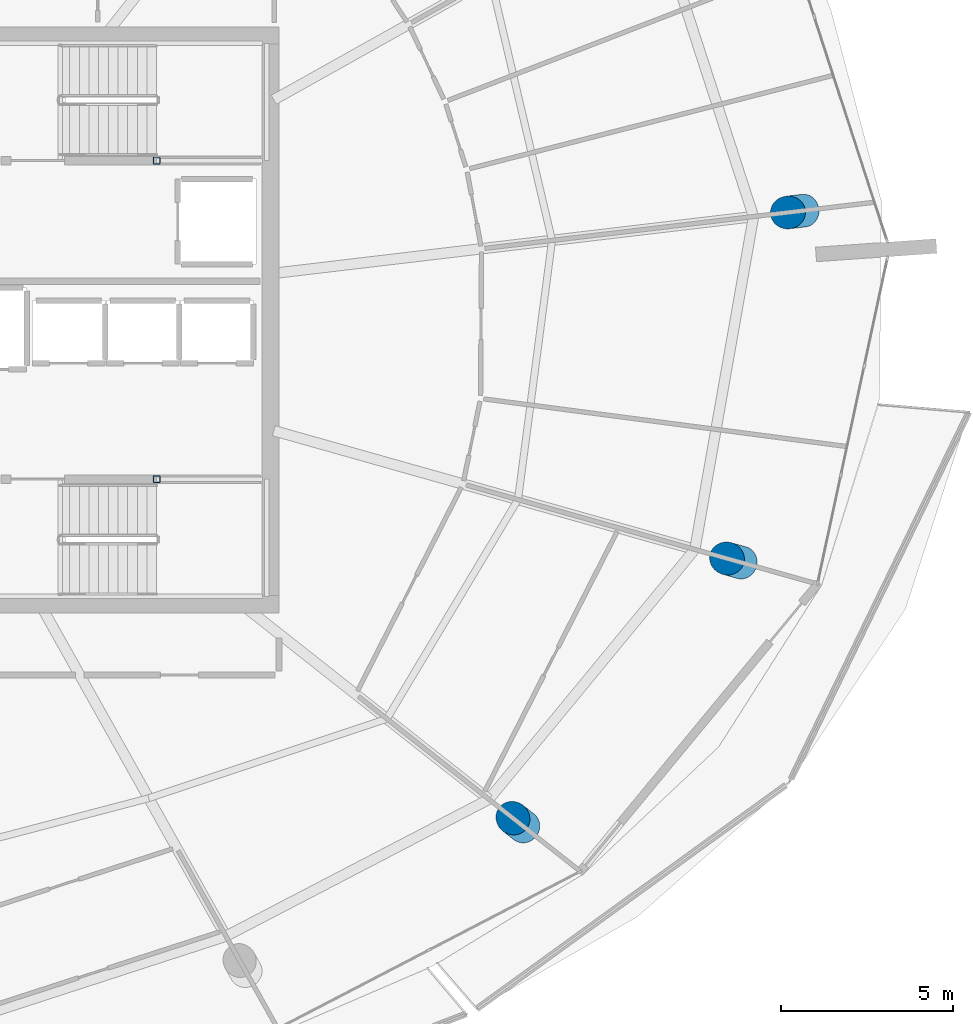
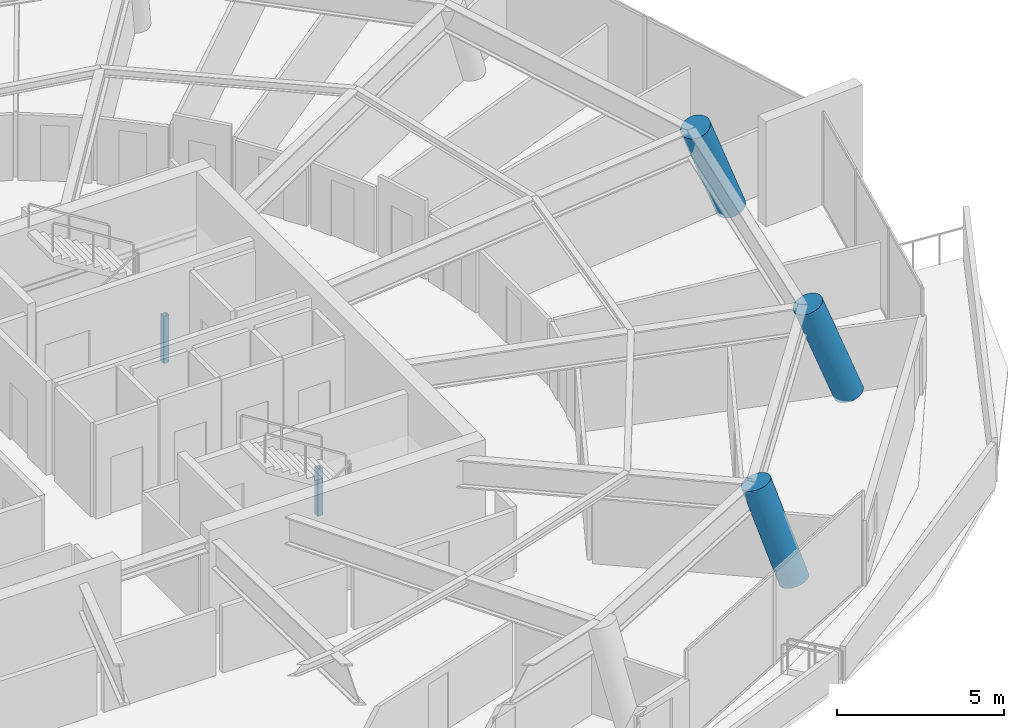
# One storey, part 3 of 27: 5 columns.
"""IFC4 building model written with IfcOpenShell, lengths in metres."""

import ifcopenshell
import ifcopenshell.guid

model = None  # the IFC model being written
_history = None  # IfcOwnerHistory: only IFC2X3 demands one
_inside = {}  # id of a spatial element -> (the spatial element, [elements in it])
_under = {}  # id of a project, library or spatial element -> (it, [spatial elements below it])
_declared = {}  # id of a project -> (the project, [libraries it declares])
_typed = {}  # id of a type object -> (the type object, [elements of that type])
_made_of = {}  # id of a material, layer set ... -> (it, [elements and type objects made of it])


def new_model(schema):
    """Start an empty IFC model of exactly this schema.

    Asked for "IFC4X3", IfcOpenShell would pick the latest addendum, in which some entities
    have other attributes; the version numbers below select the first issue.
    IFC2X3 requires an IfcOwnerHistory on every rooted entity: one is made here for all.
    """
    global model, _history
    if schema == "IFC4X3":
        model = ifcopenshell.file(schema_version=(4, 3, 0, 0))
    else:
        model = ifcopenshell.file(schema=schema)
    _inside.clear()
    _under.clear()
    _declared.clear()
    _typed.clear()
    _made_of.clear()
    _history = None
    if model.schema == "IFC2X3":
        org = make("IfcOrganization", Name="unknown")
        user = make(
            "IfcPersonAndOrganization",
            ThePerson=make("IfcPerson", FamilyName="unknown"),
            TheOrganization=org,
        )
        app = make(
            "IfcApplication",
            ApplicationDeveloper=org,
            Version="unknown",
            ApplicationFullName="unknown",
            ApplicationIdentifier="unknown",
        )
        _history = make(
            "IfcOwnerHistory",
            OwningUser=user,
            OwningApplication=app,
            ChangeAction="ADDED",
            CreationDate=0,
        )
    return model


def make(cls, **values):
    """One entity of the class cls with the attributes given. An attribute that is None is left unset."""
    return model.create_entity(
        cls, **{name: value for name, value in values.items() if value is not None}
    )


def rooted(cls, **values):
    """An entity with a GlobalId (a new one), such as an element, a storey or a relation."""
    return make(cls, GlobalId=ifcopenshell.guid.new(), OwnerHistory=_history, **values)


def si_unit(unit_type, name, prefix=None):
    """IfcSIUnit, for example si_unit("LENGTHUNIT", "METRE", prefix="MILLI")."""
    return make("IfcSIUnit", UnitType=unit_type, Prefix=prefix, Name=name)


def assignment(units):
    """IfcUnitAssignment: the units of a project."""
    return None if units is None else make("IfcUnitAssignment", Units=units)


def point(xyz):
    """IfcCartesianPoint."""
    return None if xyz is None else make("IfcCartesianPoint", Coordinates=xyz)


def direction(xyz):
    """IfcDirection."""
    return None if xyz is None else make("IfcDirection", DirectionRatios=xyz)


def frame(location, z_axis=None, x_axis=None):
    """IfcAxis2Placement3D, a coordinate frame: its origin and axes. An axis left out is left unset."""
    return make(
        "IfcAxis2Placement3D",
        Location=point(location),
        Axis=direction(z_axis),
        RefDirection=direction(x_axis),
    )


def frame_2d(location, x_axis=None):
    """IfcAxis2Placement2D, a coordinate frame in the plane: its origin and x axis."""
    return make(
        "IfcAxis2Placement2D", Location=point(location), RefDirection=direction(x_axis)
    )


def origin():
    """The frame at (0, 0, 0) with its axes left unset."""
    return frame((0.0, 0.0, 0.0))


def origin_2d():
    """The frame at (0, 0) in the plane with its x axis left unset."""
    return frame_2d((0.0, 0.0))


def place(relative_to, where):
    """IfcLocalPlacement: puts the frame where relative to a parent placement (None: the world)."""
    return make(
        "IfcLocalPlacement", PlacementRelTo=relative_to, RelativePlacement=where
    )


def context(
    kind, dimensions, precision=None, world=None, true_north=None, identifier=None
):
    """IfcGeometricRepresentationContext, for example the 3D "Model" context."""
    return make(
        "IfcGeometricRepresentationContext",
        ContextIdentifier=identifier,
        ContextType=kind,
        CoordinateSpaceDimension=dimensions,
        Precision=precision,
        WorldCoordinateSystem=world,
        TrueNorth=true_north,
    )


def subcontext(parent, identifier, kind, view, scale=None):
    """IfcGeometricRepresentationSubContext, for example "Body" below "Model"."""
    return make(
        "IfcGeometricRepresentationSubContext",
        ContextIdentifier=identifier,
        ContextType=kind,
        ParentContext=parent,
        TargetScale=scale,
        TargetView=view,
    )


def project(units=None, contexts=None):
    """IfcProject with its units and contexts."""
    return rooted(
        "IfcProject",
        Name="project",
        RepresentationContexts=contexts,
        UnitsInContext=assignment(units),
    )


def spatial(cls, under=None, at=None, **own):
    """A site, building, storey or space (cls), placed at a placement, below another one or the project."""
    s = rooted(cls, ObjectPlacement=at, **own)
    if under is not None:
        _under.setdefault(under.id(), (under, []))[1].append(s)
    return s


def profile(cls, at=None, kind="AREA", **sizes):
    """A parametric profile (cls). Its sizes go by their IFC names, for example OverallWidth=200.0."""
    return make(cls, ProfileType=kind, Position=at, **sizes)


def hollow_rectangle(**sizes):
    """IfcRectangleHollowProfileDef."""
    return profile("IfcRectangleHollowProfileDef", **sizes)


def circle(**sizes):
    """IfcCircleProfileDef."""
    return profile("IfcCircleProfileDef", **sizes)


def extrude(swept, where, along, depth):
    """IfcExtrudedAreaSolid: the profile swept, set in the frame where, extruded along a direction by depth."""
    return make(
        "IfcExtrudedAreaSolid",
        SweptArea=swept,
        Position=where,
        ExtrudedDirection=direction(along),
        Depth=depth,
    )


def shape(context_of_items, identifier, shape_type, items):
    """IfcShapeRepresentation: the items that make up one representation, for example the "Body"."""
    return make(
        "IfcShapeRepresentation",
        ContextOfItems=context_of_items,
        RepresentationIdentifier=identifier,
        RepresentationType=shape_type,
        Items=items,
    )


def material(Name=None, Category=None):
    """IfcMaterial."""
    return make("IfcMaterial", Name=Name, Category=Category)


def material_profile(
    of_material, cross_section, Name=None, Category=None, Priority=None
):
    """IfcMaterialProfile: a cross section and its material."""
    return make(
        "IfcMaterialProfile",
        Name=Name,
        Material=of_material,
        Profile=cross_section,
        Priority=Priority,
        Category=Category,
    )


def profile_set(profiles, Name=None, composite=None):
    """IfcMaterialProfileSet."""
    return make(
        "IfcMaterialProfileSet",
        Name=Name,
        MaterialProfiles=profiles,
        CompositeProfile=composite,
    )


def made_of(thing, what):
    """Note that an element or type object is made of a material, layer set ...; save() writes the relation."""
    if what is not None:
        _made_of.setdefault(what.id(), (what, []))[1].append(thing)
    return thing


def type_object(cls, material=None, **own):
    """A type object (cls), such as IfcWallType, which elements share."""
    return made_of(rooted(cls, **own), material)


def element(
    cls,
    number,
    at=None,
    inside=None,
    cuts=None,
    type_object=None,
    material=None,
    context=None,
    identifier="Body",
    shape_type=None,
    held_by="IfcProductDefinitionShape",
    body=None,
    shapes=None,
    **own,
):
    """One element of the class cls, such as IfcWall. Its Tag is "e" and its number.

    at: its placement. inside: the storey or other place that contains it. cuts: it is an
    opening in that element (IfcRelVoidsElement). A single representation is given by context,
    identifier, shape_type and body (its items); several are given by shapes. held_by: the class
    of the entity that holds the representations. save() writes the other relations.
    """
    e = rooted(cls, Tag="e%d" % number, ObjectPlacement=at, **own)
    if body is not None:
        shapes = [shape(context, identifier, shape_type, body)]
    if shapes is not None:
        e.Representation = make(held_by, Representations=shapes)
    if inside is not None:
        _inside.setdefault(inside.id(), (inside, []))[1].append(e)
    if cuts is not None:
        rooted(
            "IfcRelVoidsElement", RelatingBuildingElement=cuts, RelatedOpeningElement=e
        )
    if type_object is not None:
        _typed.setdefault(type_object.id(), (type_object, []))[1].append(e)
    return made_of(e, material)


def aggregate(whole, parts):
    """IfcRelAggregates: a whole, such as a stair, and the parts it consists of."""
    return rooted("IfcRelAggregates", RelatingObject=whole, RelatedObjects=parts)


def save(model, path):
    """Write the relations noted so far, then the file.

    IfcRelAggregates (storeys below a building ...), IfcRelContainedInSpatialStructure (elements
    in a storey), IfcRelDefinesByType, IfcRelAssociatesMaterial and IfcRelDeclares: one each for
    every whole, place, type object, material and project.
    """
    for whole, parts in _under.values():
        aggregate(whole, parts)
    for where, things in _inside.values():
        rooted(
            "IfcRelContainedInSpatialStructure",
            RelatedElements=things,
            RelatingStructure=where,
        )
    for kind, things in _typed.values():
        rooted("IfcRelDefinesByType", RelatedObjects=things, RelatingType=kind)
    for what, things in _made_of.values():
        rooted("IfcRelAssociatesMaterial", RelatedObjects=things, RelatingMaterial=what)
    for by, libraries in _declared.values():
        rooted("IfcRelDeclares", RelatingContext=by, RelatedDefinitions=libraries)
    model.write(path)


model = new_model("IFC4")

# Units and contexts
model_context = context("Model", 3, precision=1e-05, world=origin(), true_north=direction((0.0, 1.0)))
body_context = subcontext(model_context, "Body", "Model", "MODEL_VIEW")
ifc_project = project(units=[si_unit("LENGTHUNIT", "METRE"), si_unit("AREAUNIT", "SQUARE_METRE"), si_unit("VOLUMEUNIT", "CUBIC_METRE"), si_unit("PLANEANGLEUNIT", "RADIAN"), si_unit("MASSUNIT", "GRAM", prefix="KILO")], contexts=[model_context])

# Site, building, storey
site_placement = place(None, origin())
site = spatial("IfcSite", under=ifc_project, at=site_placement, CompositionType="ELEMENT")
building_placement = place(site_placement, origin())
building = spatial("IfcBuilding", under=site, at=building_placement, Name="Kazma Halo Residences", CompositionType="ELEMENT")
storey_placement = place(building_placement, frame((0.0, 0.0, 306.0)))
storey = spatial("IfcBuildingStorey", under=building, at=storey_placement, Name="L77", CompositionType="ELEMENT", Elevation=306.0)

# Columns
ifc_material_1 = material(Name="Steel S355", Category="steel")
ifc_material_profile_1 = material_profile(ifc_material_1, hollow_rectangle(XDim=0.199951171875, YDim=0.199951171875, WallThickness=0.010009765625, InnerFilletRadius=0.010009765625, OuterFilletRadius=0.02001953125, at=origin_2d()), Name="SHS200x200x10")
ifc_profile_set_1 = profile_set([ifc_material_profile_1], Name="Steel S355")
column_type_1 = type_object("IfcColumnType", Name="COL-LP-SHS200", PredefinedType="COLUMN", material=ifc_profile_set_1)
for number, where, z_axis, x_axis, name in (
    (1, (56.0, 46.6201171875, 0.0), (0.0, 0.0, 1.0), (1.0, 0.0, 0.0), "L77 ST-02 landing pilaster 1"),
    (2, (56.0, 37.3798828125, 0.0), (0.0, 0.0, 1.0), (1.0, 0.0, 0.0), "L77 ST-03 landing pilaster 1"),
):
    element("IfcColumn", number, at=place(storey_placement, frame(where, z_axis=z_axis, x_axis=x_axis)), inside=storey, type_object=column_type_1, Name=name, PredefinedType="COLUMN", context=body_context, shape_type="SweptSolid", body=[
        extrude(hollow_rectangle(XDim=0.199951171875, YDim=0.199951171875, WallThickness=0.010009765625, InnerFilletRadius=0.010009765625, OuterFilletRadius=0.02001953125, at=origin_2d()), origin(), (0.0, 0.0, 1.0), 1.719970703125),
    ])
ifc_material_2 = material(Name="Concrete C60/75", Category="concrete")
ifc_material_profile_2 = material_profile(ifc_material_2, circle(Radius=0.47509765625, at=origin_2d()), Name="CIRC950")
ifc_profile_set_2 = profile_set([ifc_material_profile_2], Name="Concrete C60/75")
column_type_2 = type_object("IfcColumnType", Name="COL-PERIM-950", PredefinedType="COLUMN", material=ifc_profile_set_2)
column_1_placement = place(storey_placement, frame((66.65380859375, 27.294677734375, 0.0), z_axis=(-0.249725028878, 0.196787616792, 0.948109721408), x_axis=(-0.618939298338, -0.785438823189, 0.0)))
element("IfcColumn", 3, at=column_1_placement, inside=storey, type_object=column_type_2, Name="L77 perimeter ring column P14", PredefinedType="COLUMN", context=body_context, shape_type="SweptSolid", body=[
    extrude(circle(Radius=0.47509765625, at=origin_2d()), origin(), (0.0, 0.0, 1.0), 3.638671875),
])
column_2_placement = place(storey_placement, frame((72.9697265625, 34.957763671875, 0.0), z_axis=(-0.330987533093, 0.093362273438, 0.939005185734), x_axis=(-0.271478522348, -0.96244449809, 0.0)))
element("IfcColumn", 4, at=column_2_placement, inside=storey, type_object=column_type_2, Name="L77 perimeter ring column P15", PredefinedType="COLUMN", context=body_context, shape_type="SweptSolid", body=[
    extrude(circle(Radius=0.47509765625, at=origin_2d()), origin(), (0.0, 0.0, 1.0), 3.674072265625),
])
column_3_placement = place(storey_placement, frame((74.77001953125, 45.16845703125, 0.0), z_axis=(-0.353185583697, -0.041800241366, 0.934619004349), x_axis=(0.117531776266, -0.993069122251, 0.0)))
element("IfcColumn", 5, at=column_3_placement, inside=storey, type_object=column_type_2, Name="L77 perimeter ring column P16", PredefinedType="COLUMN", context=body_context, shape_type="SweptSolid", body=[
    extrude(circle(Radius=0.47509765625, at=origin_2d()), origin(), (0.0, 0.0, 1.0), 3.69140625),
])

save(model, "model.ifc")
